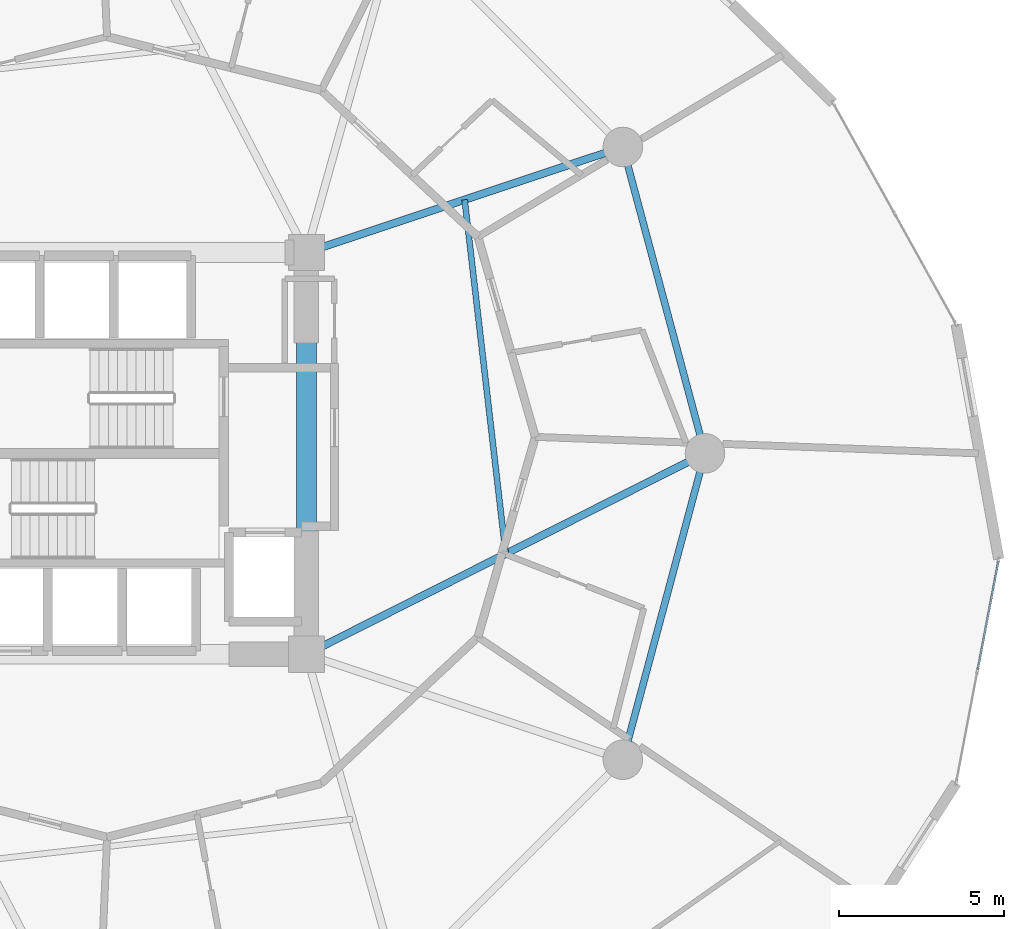
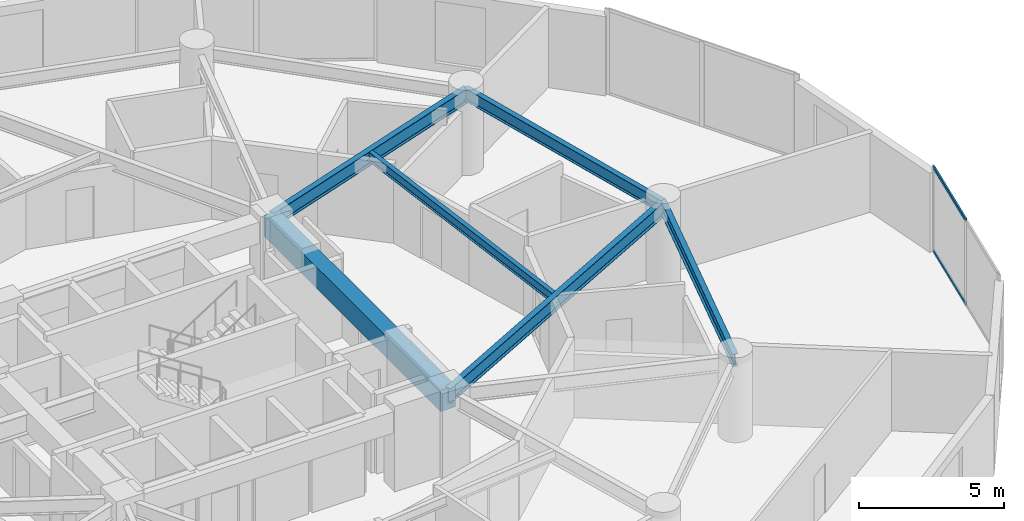
# One storey, part 8 of 22: 6 beams, 2 members, 1 element without a shape of its own.
"""IFC4 building model written with IfcOpenShell, lengths in metres."""

from ifc_helpers import new_model, si_unit, direction, frame, origin, origin_2d, place, context, subcontext, project, spatial, rectangle, hollow_rectangle, i_section, extrude, source, transform, mapped, material, layer, layer_set, material_profile, profile_set, type_object, element, aggregate, save


model = new_model("IFC4")

# Units and contexts
model_context = context("Model", 3, precision=1e-05, world=origin(), true_north=direction((0.0, 1.0)))
body_context = subcontext(model_context, "Body", "Model", "MODEL_VIEW")
ifc_project = project(units=[si_unit("LENGTHUNIT", "METRE"), si_unit("AREAUNIT", "SQUARE_METRE"), si_unit("VOLUMEUNIT", "CUBIC_METRE"), si_unit("PLANEANGLEUNIT", "RADIAN"), si_unit("MASSUNIT", "GRAM", prefix="KILO")], contexts=[model_context])

# Site, building, storey
site_placement = place(None, origin())
site = spatial("IfcSite", under=ifc_project, at=site_placement, CompositionType="ELEMENT")
building_placement = place(site_placement, origin())
building = spatial("IfcBuilding", under=site, at=building_placement, Name="Solvirekh Grand Hotel", CompositionType="ELEMENT")
storey_placement = place(building_placement, frame((0.0, 0.0, 78.800048828125)))
storey = spatial("IfcBuildingStorey", under=building, at=storey_placement, Name="L19", CompositionType="ELEMENT", Elevation=78.800048828125)

# Beams
ifc_material_1 = material(Name="Concrete C50/60", Category="concrete")
ifc_material_profile_1 = material_profile(ifc_material_1, rectangle(XDim=0.60009765625, YDim=0.89990234375, at=origin_2d()), Name="RC BEAM 600X900")
ifc_profile_set_1 = profile_set([ifc_material_profile_1], Name="Concrete C50/60")
beam_type_1 = type_object("IfcBeamType", Name="Beam_Core_RC900", PredefinedType="BEAM", material=ifc_profile_set_1)
beam_1_placement = place(storey_placement, frame((6.5, -6.10009765625, 2.889892578125), z_axis=(0.0, 1.0, 0.0), x_axis=(-1.0, 0.0, 0.0)))
element("IfcBeam", 1, at=beam_1_placement, inside=storey, type_object=beam_type_1, Name="L19 core coupling ring beam 2", PredefinedType="BEAM", context=body_context, shape_type="SweptSolid", body=[
    extrude(rectangle(XDim=0.60009765625, YDim=0.89990234375, at=origin_2d()), origin(), (0.0, 0.0, 1.0), 12.2001953125),
])
ifc_material_2 = material(Name="Steel S355", Category="steel")
ifc_material_profile_2 = material_profile(ifc_material_2, i_section(OverallWidth=0.22802734375, OverallDepth=0.616943359375, WebThickness=0.012939453125, FlangeThickness=0.02001953125, FilletRadius=0.014892578125, at=origin_2d()), Name="W610X140")
ifc_profile_set_2 = profile_set([ifc_material_profile_2], Name="Steel S355")
beam_type_2 = type_object("IfcBeamType", Name="Beam_Radial_W610", PredefinedType="BEAM", material=ifc_profile_set_2)
beam_2_placement = place(storey_placement, frame((6.5, -6.10009765625, 3.031982421875), z_axis=(0.892944939011, 0.450165898191, 0.0), x_axis=(-0.450165898191, 0.892944939011, 0.0)))
element("IfcBeam", 2, at=beam_2_placement, inside=storey, type_object=beam_type_2, Name="L19 radial floor beam R01", PredefinedType="BEAM", context=body_context, shape_type="SweptSolid", body=[
    extrude(i_section(OverallWidth=0.22802734375, OverallDepth=0.616943359375, WebThickness=0.012939453125, FlangeThickness=0.02001953125, FilletRadius=0.014892578125, at=origin_2d()), origin(), (0.0, 0.0, 1.0), 13.55078125),
])
beam_3_placement = place(storey_placement, frame((6.5, 6.10009765625, 3.031982421875), z_axis=(0.948762825819, 0.315989082635, 0.0), x_axis=(-0.315989082635, 0.948762825819, 0.0)))
element("IfcBeam", 3, at=beam_3_placement, inside=storey, type_object=beam_type_2, Name="L19 radial floor beam R02", PredefinedType="BEAM", context=body_context, shape_type="SweptSolid", body=[
    extrude(i_section(OverallWidth=0.22802734375, OverallDepth=0.616943359375, WebThickness=0.012939453125, FlangeThickness=0.02001953125, FilletRadius=0.014892578125, at=origin_2d()), origin(), (0.0, 0.0, 1.0), 10.126708984375),
])
ifc_material_profile_3 = material_profile(ifc_material_2, i_section(OverallWidth=0.177978515625, OverallDepth=0.406982421875, WebThickness=0.008056640625, FlangeThickness=0.011962890625, FilletRadius=0.011962890625, at=origin_2d()), Name="W410X60")
ifc_profile_set_3 = profile_set([ifc_material_profile_3], Name="Steel S355")
beam_type_3 = type_object("IfcBeamType", Name="Joist_Floor_W410", PredefinedType="JOIST", material=ifc_profile_set_3)
beam_4_placement = place(storey_placement, frame((12.550048828125, -3.050048828125, 3.135986328125), z_axis=(-0.115144710849, 0.993348728073, 0.0), x_axis=(-0.993348728073, -0.115144710849, 0.0)))
element("IfcBeam", 4, at=beam_4_placement, inside=storey, type_object=beam_type_3, Name="L19 secondary composite floor joist 1", PredefinedType="JOIST", context=body_context, shape_type="SweptSolid", body=[
    extrude(i_section(OverallWidth=0.177978515625, OverallDepth=0.406982421875, WebThickness=0.008056640625, FlangeThickness=0.011962890625, FilletRadius=0.011962890625, at=origin_2d()), origin(), (0.0, 0.0, 1.0), 10.822021484375),
])
ifc_material_profile_4 = material_profile(ifc_material_2, i_section(OverallWidth=0.208984375, OverallDepth=0.532958984375, WebThickness=0.010009765625, FlangeThickness=0.014892578125, FilletRadius=0.013916015625, at=origin_2d()), Name="W530X92")
ifc_profile_set_4 = profile_set([ifc_material_profile_4], Name="Steel S355")
beam_type_4 = type_object("IfcBeamType", Name="Spandrel_Ring_W530", PredefinedType="SPANDREL", material=ifc_profile_set_4)
for number, where, z_axis, x_axis, name in (
    (5, (18.60009765625, 0.0, 3.073974609375), (-0.258842973314, 0.965919414426, 0.0), (-0.965919414426, -0.258842973314, 0.0), "L19 perimeter spandrel beam 1"),
    (6, (16.10791015625, -9.300048828125, 3.073974609375), (0.258842973314, 0.965919414426, 0.0), (-0.965919414426, 0.258842973314, 0.0), "L19 perimeter spandrel beam 12"),
):
    element("IfcBeam", number, at=place(storey_placement, frame(where, z_axis=z_axis, x_axis=x_axis)), inside=storey, type_object=beam_type_4, Name=name, PredefinedType="SPANDREL", context=body_context, shape_type="SweptSolid", body=[
        extrude(i_section(OverallWidth=0.208984375, OverallDepth=0.532958984375, WebThickness=0.010009765625, FlangeThickness=0.014892578125, FilletRadius=0.013916015625, at=origin_2d()), origin(), (0.0, 0.0, 1.0), 9.628173828125),
    ])

# Curtain wall, members
ifc_material_3 = material(Name="Anodized Bronze Aluminium 6063-T6", Category="aluminium")
ifc_layer = layer(ifc_material_3, 0.18994140625)
ifc_layer_set = layer_set([ifc_layer], Name="Anodized Bronze Aluminium 6063-T6")
curtain_wall_type = type_object("IfcCurtainWallType", Name="CW_Sys2_LowZoneFlushBronzeCW", PredefinedType="NOTDEFINED", material=ifc_layer_set)
curtain_wall_placement = place(storey_placement, origin())
curtain_wall = element("IfcCurtainWall", 7, at=curtain_wall_placement, inside=storey, type_object=curtain_wall_type, Name="L19 unitised bronze-glass curtain wall CW-L19-C01", PredefinedType="NOTDEFINED")
ifc_material_profile_5 = material_profile(ifc_material_3, hollow_rectangle(XDim=0.06005859375, YDim=0.135009765625, WallThickness=0.00390625, at=origin_2d()), Name="ALU RHS 135X60X4")
ifc_profile_set_5 = profile_set([ifc_material_profile_5], Name="Anodized Bronze Aluminium 6063-T6")
member_type = type_object("IfcMemberType", Name="CWTransom_Sys2", PredefinedType="USERDEFINED", material=ifc_profile_set_5)
shared_shape = source(origin(), body_context, "Body", "SweptSolid", [
    extrude(hollow_rectangle(XDim=0.06005859375, YDim=0.135009765625, WallThickness=0.00390625, at=origin_2d()), origin(), (0.0, 0.0, 1.0), 3.357421875),
])
member_1_placement = place(storey_placement, frame((26.879150390625, -6.572998046875, 0.030029296875), z_axis=(0.186667664274, 0.98242311817, 0.0), x_axis=(-0.98242311817, 0.186667664274, 0.0)))
member_1 = element("IfcMember", 8, at=member_1_placement, type_object=member_type, Name="U02 transom 2.1", ObjectType="TRANSOM", PredefinedType="USERDEFINED", context=body_context, shape_type="MappedRepresentation", body=[
    mapped(shared_shape, transform((0.0, 0.0, 0.0), x_axis=(1.0, 0.0, 0.0), y_axis=(0.0, 1.0, 0.0), z_axis=(0.0, 0.0, 1.0), scale=1.0)),
])
member_2_placement = place(storey_placement, frame((26.879150390625, -6.572998046875, 3.570068359375), z_axis=(0.186667664274, 0.98242311817, 0.0), x_axis=(-0.98242311817, 0.186667664274, 0.0)))
member_2 = element("IfcMember", 9, at=member_2_placement, type_object=member_type, Name="U02 transom 2.2", ObjectType="TRANSOM", PredefinedType="USERDEFINED", context=body_context, shape_type="MappedRepresentation", body=[
    mapped(shared_shape, transform((0.0, 0.0, 0.0), x_axis=(1.0, 0.0, 0.0), y_axis=(0.0, 1.0, 0.0), z_axis=(0.0, 0.0, 1.0), scale=1.0)),
])
aggregate(curtain_wall, [member_1, member_2])

save(model, "model.ifc")
